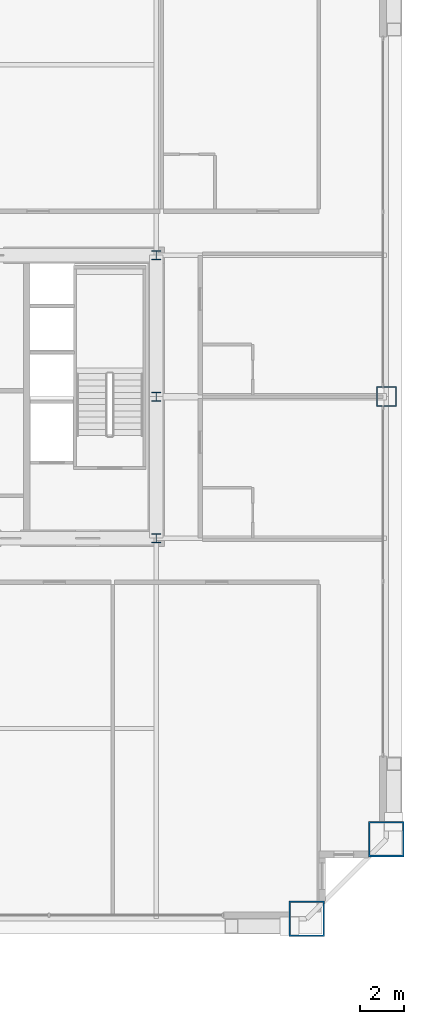
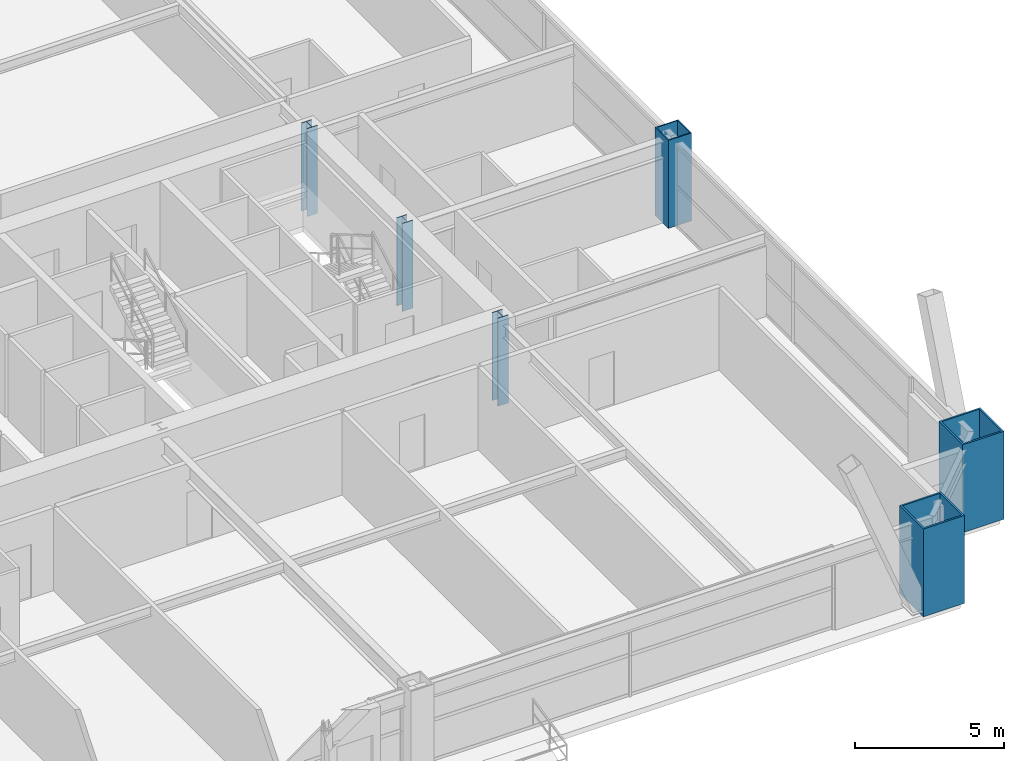
# One storey, part 2 of 43: 6 columns.
"""IFC4 building model written with IfcOpenShell, lengths in metres."""

from ifc_helpers import new_model, si_unit, direction, frame, origin, origin_2d, place, context, subcontext, project, spatial, hollow_rectangle, i_section, extrude, source, transform, mapped, material, material_profile, profile_set, type_object, element, save


model = new_model("IFC4")

# Units and contexts
model_context = context("Model", 3, precision=1e-05, world=origin(), true_north=direction((0.0, 1.0)))
body_context = subcontext(model_context, "Body", "Model", "MODEL_VIEW")
ifc_project = project(units=[si_unit("LENGTHUNIT", "METRE"), si_unit("AREAUNIT", "SQUARE_METRE"), si_unit("VOLUMEUNIT", "CUBIC_METRE"), si_unit("PLANEANGLEUNIT", "RADIAN"), si_unit("MASSUNIT", "GRAM", prefix="KILO"), si_unit("THERMODYNAMICTEMPERATUREUNIT", "KELVIN"), si_unit("POWERUNIT", "WATT")], contexts=[model_context])

# Site, building, storey
site_placement = place(None, origin())
site = spatial("IfcSite", under=ifc_project, at=site_placement, CompositionType="ELEMENT")
building_placement = place(site_placement, origin())
building = spatial("IfcBuilding", under=site, at=building_placement, Name="Yuzanri Waterfront Tower", CompositionType="ELEMENT")
storey_placement = place(building_placement, frame((0.0, 0.0, 138.0)))
storey = spatial("IfcBuildingStorey", under=building, at=storey_placement, Name="L36", CompositionType="ELEMENT", Elevation=138.0)

# Columns
ifc_material_1 = material(Name="Steel Q390GJC", Category="steel")
ifc_material_profile_1 = material_profile(ifc_material_1, hollow_rectangle(XDim=0.89990234375, YDim=0.89990234375, WallThickness=0.0419921875, at=origin_2d()), Name="RHS 900x900x42")
ifc_profile_set_1 = profile_set([ifc_material_profile_1], Name="Steel Q390GJC")
column_type_1 = type_object("IfcColumnType", Name="Frame Column Q390GJC RHS 900x900x42", PredefinedType="COLUMN", material=ifc_profile_set_1)
shared_shape_1 = source(origin(), body_context, "Body", "SweptSolid", [
    extrude(hollow_rectangle(XDim=0.89990234375, YDim=0.89990234375, WallThickness=0.0419921875, at=origin_2d()), origin(), (0.0, 0.0, 1.0), 3.60009765625),
])
column_placement = place(storey_placement, frame((60.60009765625, 25.800048828125, 0.0), z_axis=(0.0, 0.0, 1.0), x_axis=(1.0, 0.0, 0.0)))
element("IfcColumn", 1, at=column_placement, inside=storey, type_object=column_type_1, Name="L36 Perimeter Frame Column E2", PredefinedType="COLUMN", context=body_context, shape_type="MappedRepresentation", body=[
    mapped(shared_shape_1, transform((0.0, 0.0, 0.0), scale=1.0)),
])
ifc_material_2 = material(Name="Steel Q420GJC", Category="steel")
ifc_material_profile_2 = material_profile(ifc_material_2, hollow_rectangle(XDim=1.60009765625, YDim=1.60009765625, WallThickness=0.070068359375, at=origin_2d()), Name="RHS 1600x1600x70")
ifc_profile_set_2 = profile_set([ifc_material_profile_2], Name="Steel Q420GJC")
column_type_2 = type_object("IfcColumnType", Name="Mega Column Q420GJC RHS 1600x1600x70", PredefinedType="COLUMN", material=ifc_profile_set_2)
shared_shape_2 = source(origin(), body_context, "Body", "SweptSolid", [
    extrude(hollow_rectangle(XDim=1.60009765625, YDim=1.60009765625, WallThickness=0.070068359375, at=origin_2d()), origin(), (0.0, 0.0, 1.0), 3.60009765625),
])
for number, where, z_axis, x_axis, name in (
    (2, (57.0, 2.199951171875, 0.0), (0.0, 0.0, 1.0), (1.0, 0.0, 0.0), "L36 Perimeter Mega Column S3"),
    (3, (60.60009765625, 5.800048828125, 0.0), (0.0, 0.0, 1.0), (1.0, 0.0, 0.0), "L36 Perimeter Mega Column E1"),
):
    element("IfcColumn", number, at=place(storey_placement, frame(where, z_axis=z_axis, x_axis=x_axis)), inside=storey, type_object=column_type_2, Name=name, PredefinedType="COLUMN", context=body_context, shape_type="MappedRepresentation", body=[
        mapped(shared_shape_2, transform((0.0, 0.0, 0.0), scale=1.0)),
    ])
ifc_material_3 = material(Name="Steel Q355B", Category="steel")
ifc_material_profile_3 = material_profile(ifc_material_3, i_section(OverallWidth=0.39990234375, OverallDepth=0.39990234375, WebThickness=0.012939453125, FlangeThickness=0.02099609375, at=origin_2d()), Name="HW 400x400x13x21")
ifc_profile_set_3 = profile_set([ifc_material_profile_3], Name="Steel Q355B")
column_type_3 = type_object("IfcColumnType", Name="Core Post Q355B HW 400x400x13x21", PredefinedType="COLUMN", material=ifc_profile_set_3)
shared_shape_3 = source(origin(), body_context, "Body", "SweptSolid", [
    extrude(i_section(OverallWidth=0.39990234375, OverallDepth=0.39990234375, WebThickness=0.012939453125, FlangeThickness=0.02099609375, at=origin_2d()), origin(), (0.0, 0.0, 1.0), 3.60009765625),
])
for number, where, z_axis, x_axis, name in (
    (4, (50.199951171875, 19.39990234375, 0.0), (0.0, 0.0, 1.0), (1.0, 0.0, 0.0), "L36 Core Boundary Column CP3"),
    (5, (50.199951171875, 25.800048828125, 0.0), (0.0, 0.0, 1.0), (1.0, 0.0, 0.0), "L36 Core Boundary Column CP5"),
    (6, (50.199951171875, 32.199951171875, 0.0), (0.0, 0.0, 1.0), (1.0, 0.0, 0.0), "L36 Core Boundary Column CP8"),
):
    element("IfcColumn", number, at=place(storey_placement, frame(where, z_axis=z_axis, x_axis=x_axis)), inside=storey, type_object=column_type_3, Name=name, PredefinedType="COLUMN", context=body_context, shape_type="MappedRepresentation", body=[
        mapped(shared_shape_3, transform((0.0, 0.0, 0.0), scale=1.0)),
    ])

save(model, "model.ifc")
